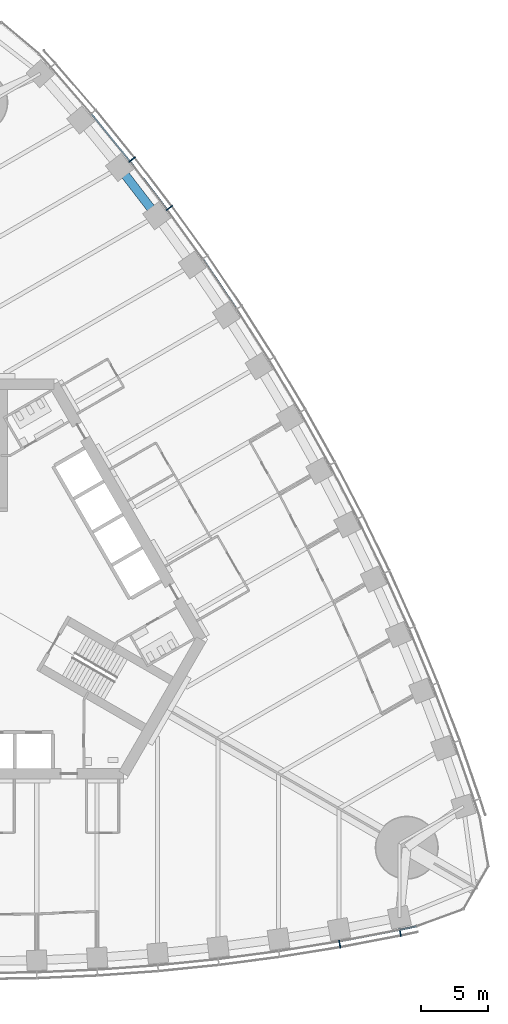
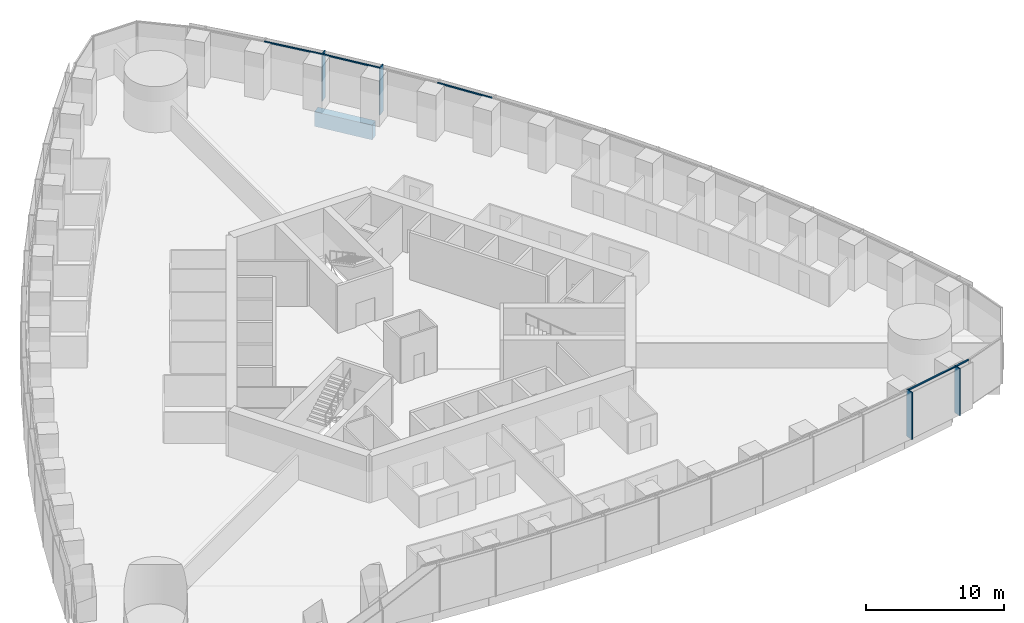
# One storey, part 5 of 18: 9 members, 1 beam, 2 elements without a shape of their own.
"""IFC4 building model written with IfcOpenShell, lengths in metres."""

from ifc_helpers import new_model, si_unit, direction, frame, origin, origin_2d, place, context, subcontext, project, spatial, rectangle, extrude, material, material_profile, profile_set, type_object, element, aggregate, save


model = new_model("IFC4")

# Units and contexts
model_context = context("Model", 3, precision=1e-05, world=origin(), true_north=direction((0.0, 1.0)))
body_context = subcontext(model_context, "Body", "Model", "MODEL_VIEW")
ifc_project = project(units=[si_unit("LENGTHUNIT", "METRE"), si_unit("AREAUNIT", "SQUARE_METRE"), si_unit("VOLUMEUNIT", "CUBIC_METRE"), si_unit("PLANEANGLEUNIT", "RADIAN"), si_unit("MASSUNIT", "GRAM", prefix="KILO")], contexts=[model_context])

# Site, building, storey
site_placement = place(None, origin())
site = spatial("IfcSite", under=ifc_project, at=site_placement, CompositionType="ELEMENT")
building_placement = place(site_placement, origin())
building = spatial("IfcBuilding", under=site, at=building_placement, Name="Trefoil Bronze Tower", CompositionType="ELEMENT")
storey_placement = place(building_placement, frame((0.0, 0.0, 29.10009765625)))
storey = spatial("IfcBuildingStorey", under=building, at=storey_placement, Name="L06", CompositionType="ELEMENT", Elevation=29.10009765625)

# Curtain wall, members
ifc_material_1 = material(Name="Tinted solar-control glass", Category="glass")
curtain_wall_type = type_object("IfcCurtainWallType", Name="Bronze office curtain wall", PredefinedType="USERDEFINED", material=ifc_material_1)
curtain_wall_1_placement = place(storey_placement, origin())
curtain_wall_1 = element("IfcCurtainWall", 1, at=curtain_wall_1_placement, inside=storey, type_object=curtain_wall_type, Name="CW-A L06 F1", ObjectType="CURTAIN WALL", PredefinedType="USERDEFINED")
ifc_material_2 = material(Name="Bronze-finish aluminium", Category="aluminium")
ifc_material_profile_1 = material_profile(ifc_material_2, rectangle(XDim=0.60009765625, YDim=0.080078125, at=origin_2d()), Name="CW-A mullion")
ifc_profile_set_1 = profile_set([ifc_material_profile_1], Name="Bronze-finish aluminium")
member_type_1 = type_object("IfcMemberType", Name="Bronze office curtain wall mullion", PredefinedType="MULLION", material=ifc_profile_set_1)
member_1_placement = place(storey_placement, frame((27.05224609375, -25.67578125, 0.0), z_axis=(0.0, 0.0, 1.0), x_axis=(-0.174131146426, 0.984722470468, 0.0)))
member_1 = element("IfcMember", 2, at=member_1_placement, type_object=member_type_1, Name="CW-A L06 F1 mullion 15", PredefinedType="MULLION", context=body_context, shape_type="SweptSolid", body=[
    extrude(rectangle(XDim=0.60009765625, YDim=0.080078125, at=origin_2d()), origin(), (0.0, 0.0, 1.0), 4.179931640625),
])
member_2_placement = place(storey_placement, frame((31.559326171875, -24.81005859375, 0.0), z_axis=(0.0, 0.0, 1.0), x_axis=(-0.197910006829, 0.98022019424, 0.0)))
member_2 = element("IfcMember", 3, at=member_2_placement, type_object=member_type_1, Name="CW-A L06 F1 mullion 16", PredefinedType="MULLION", context=body_context, shape_type="SweptSolid", body=[
    extrude(rectangle(XDim=0.60009765625, YDim=0.080078125, at=origin_2d()), origin(), (0.0, 0.0, 1.0), 4.179931640625),
])

curtain_wall_2_placement = place(storey_placement, origin())
curtain_wall_2 = element("IfcCurtainWall", 4, at=curtain_wall_2_placement, inside=storey, type_object=curtain_wall_type, Name="CW-A L06 F2", ObjectType="CURTAIN WALL", PredefinedType="USERDEFINED")
member_3_placement = place(storey_placement, frame((14.364013671875, 29.117919921875, 0.0), z_axis=(0.0, 0.0, 1.0), x_axis=(-0.802126748469, -0.59715381552, 0.0)))
member_3 = element("IfcMember", 5, at=member_3_placement, type_object=member_type_1, Name="CW-A L06 F2 mullion 13", PredefinedType="MULLION", context=body_context, shape_type="SweptSolid", body=[
    extrude(rectangle(XDim=0.60009765625, YDim=0.080078125, at=origin_2d()), origin(), (0.0, 0.0, 1.0), 4.179931640625),
])
member_4_placement = place(storey_placement, frame((11.595458984375, 32.7255859375, 0.0), z_axis=(0.0, 0.0, 1.0), x_axis=(-0.784304615744, -0.620375910011, 0.0)))
member_4 = element("IfcMember", 6, at=member_4_placement, type_object=member_type_1, Name="CW-A L06 F2 mullion 14", PredefinedType="MULLION", context=body_context, shape_type="SweptSolid", body=[
    extrude(rectangle(XDim=0.60009765625, YDim=0.080078125, at=origin_2d()), origin(), (0.0, 0.0, 1.0), 4.179931640625),
])

# Member
ifc_material_3 = material(Name="Bronze-finish aluminium", Category="aluminium")
ifc_material_profile_2 = material_profile(ifc_material_3, rectangle(XDim=0.1201171875, YDim=0.10009765625, at=origin_2d()), Name="CW-A transom")
ifc_profile_set_2 = profile_set([ifc_material_profile_2], Name="Bronze-finish aluminium")
member_type_2 = type_object("IfcMemberType", Name="Bronze office curtain wall transom", PredefinedType="USERDEFINED", material=ifc_profile_set_2)
member_5_placement = place(storey_placement, frame((27.05810546875, -25.470947265625, 4.1298828125), z_axis=(0.982053603997, 0.188602011855, 0.0), x_axis=(-0.188602011855, 0.982053603997, 0.0)))
member_5 = element("IfcMember", 7, at=member_5_placement, type_object=member_type_2, Name="CW-A L06 F1 transom 15", ObjectType="TRANSOM", PredefinedType="USERDEFINED", context=body_context, shape_type="SweptSolid", body=[
    extrude(rectangle(XDim=0.1201171875, YDim=0.10009765625, at=origin_2d()), origin(), (0.0, 0.0, 1.0), 4.502197265625),
])

member_6_placement = place(storey_placement, frame((31.559814453125, -24.605712890625, 4.1298828125), z_axis=(0.978266371807, 0.207352129942, 0.0), x_axis=(-0.207352129942, 0.978266371807, 0.0)))
member_6 = element("IfcMember", 8, at=member_6_placement, type_object=member_type_2, Name="CW-A L06 F1 transom 16", ObjectType="TRANSOM", PredefinedType="USERDEFINED", context=body_context, shape_type="SweptSolid", body=[
    extrude(rectangle(XDim=0.1201171875, YDim=0.10009765625, at=origin_2d()), origin(), (0.0, 0.0, 1.0), 1.21044921875),
])

aggregate(curtain_wall_1, [member_1, member_2, member_5, member_6])

member_7_placement = place(storey_placement, frame((19.364990234375, 21.627197265625, 4.1298828125), z_axis=(-0.561508153923, 0.827471203775, 0.0), x_axis=(-0.827471203775, -0.561508153923, 0.0)))
member_7 = element("IfcMember", 9, at=member_7_placement, type_object=member_type_2, Name="CW-A L06 F2 transom 11", ObjectType="TRANSOM", PredefinedType="USERDEFINED", context=body_context, shape_type="SweptSolid", body=[
    extrude(rectangle(XDim=0.1201171875, YDim=0.10009765625, at=origin_2d()), origin(), (0.0, 0.0, 1.0), 4.431884765625),
])

member_8_placement = place(storey_placement, frame((14.178466796875, 29.031494140625, 4.1298828125), z_axis=(-0.608829203216, 0.793301330713, 0.0), x_axis=(-0.793301330713, -0.608829203216, 0.0)))
member_8 = element("IfcMember", 10, at=member_8_placement, type_object=member_type_2, Name="CW-A L06 F2 transom 13", ObjectType="TRANSOM", PredefinedType="USERDEFINED", context=body_context, shape_type="SweptSolid", body=[
    extrude(rectangle(XDim=0.1201171875, YDim=0.10009765625, at=origin_2d()), origin(), (0.0, 0.0, 1.0), 4.458740234375),
])

member_9_placement = place(storey_placement, frame((11.412353515625, 32.6337890625, 4.1298828125), z_axis=(-0.631835540201, 0.775102477185, 0.0), x_axis=(-0.775102477185, -0.631835540201, 0.0)))
member_9 = element("IfcMember", 11, at=member_9_placement, type_object=member_type_2, Name="CW-A L06 F2 transom 14", ObjectType="TRANSOM", PredefinedType="USERDEFINED", context=body_context, shape_type="SweptSolid", body=[
    extrude(rectangle(XDim=0.1201171875, YDim=0.10009765625, at=origin_2d()), origin(), (0.0, 0.0, 1.0), 4.478271484375),
])

aggregate(curtain_wall_2, [member_3, member_4, member_7, member_8, member_9])

# Beam
ifc_material_4 = material(Name="Concrete B80", Category="concrete")
ifc_material_profile_3 = material_profile(ifc_material_4, rectangle(XDim=0.64990234375, YDim=1.300048828125, at=origin_2d()), Name="RC 650x1300")
ifc_profile_set_3 = profile_set([ifc_material_profile_3], Name="Concrete B80")
beam_type = type_object("IfcBeamType", Name="Spandrel beam RC 650x1300", PredefinedType="SPANDREL", material=ifc_profile_set_3)
beam_placement = place(storey_placement, frame((13.42578125, 28.5361328125, -0.85009765625), z_axis=(-0.609338992146, 0.792909826305, 0.0), x_axis=(-0.792909826305, -0.609338992146, 0.0)))
element("IfcBeam", 12, at=beam_placement, inside=storey, type_object=beam_type, Name="Spandrel F2.13 L06", PredefinedType="SPANDREL", context=body_context, shape_type="SweptSolid", body=[
    extrude(rectangle(XDim=0.64990234375, YDim=1.300048828125, at=origin_2d()), origin(), (0.0, 0.0, 1.0), 4.5390625),
])

save(model, "model.ifc")
